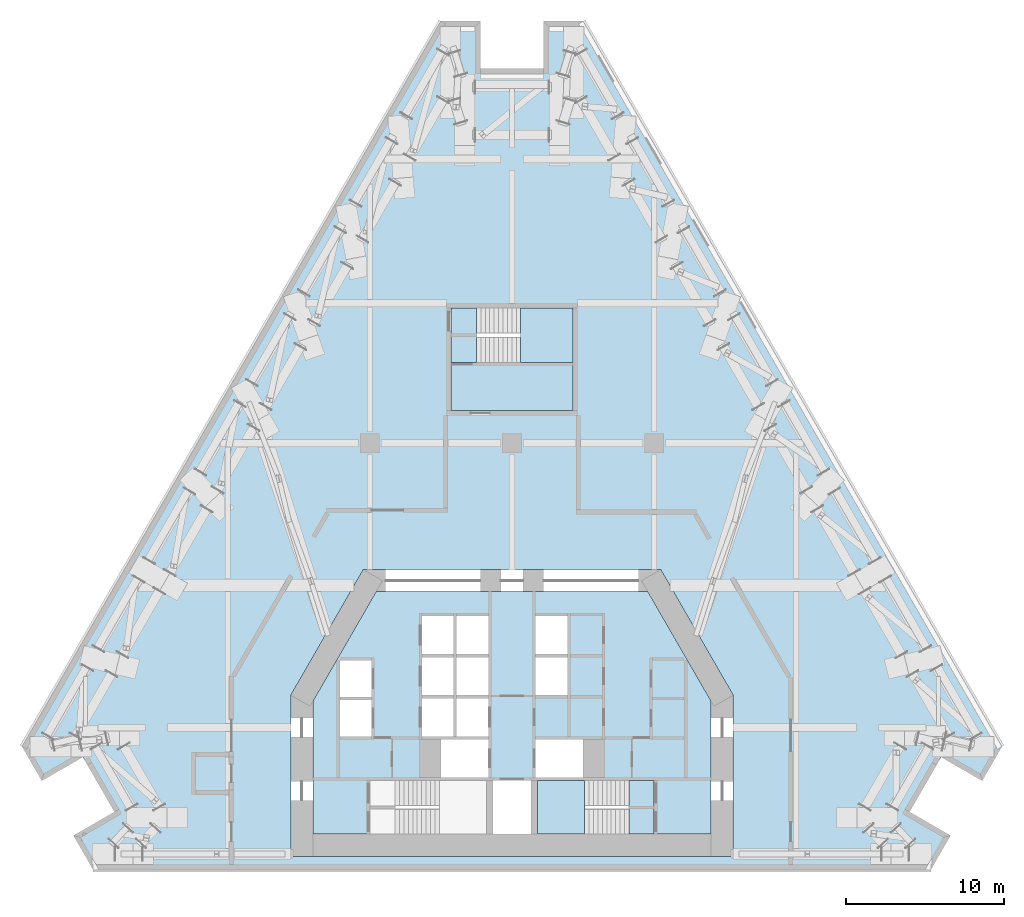
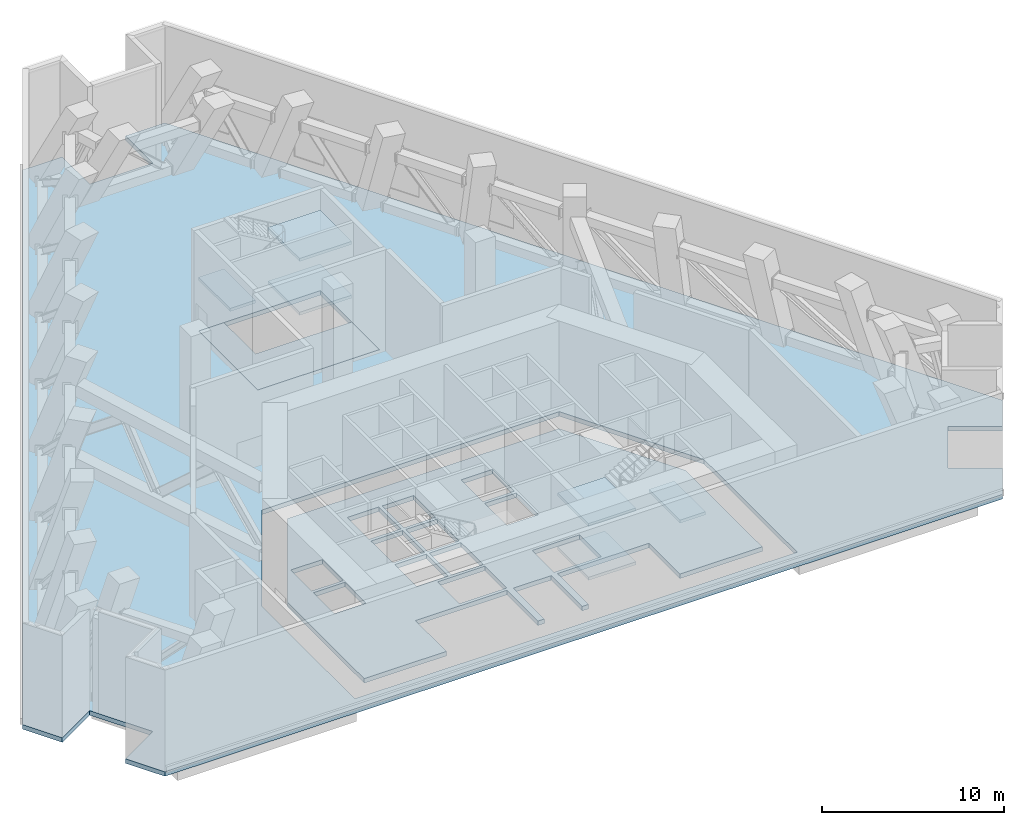
# One storey, part 4 of 12: 9 slabs, 2 elements without a shape of their own.
"""IFC4 building model written with IfcOpenShell, lengths in metres."""

from ifc_helpers import new_model, si_unit, direction, frame, origin, place, context, subcontext, project, spatial, polyline, outline, extrude, material, layer, layer_set, type_object, element, aggregate, save


model = new_model("IFC4")

# Units and contexts
model_context = context("Model", 3, precision=1e-05, world=origin(), true_north=direction((0.0, 1.0)))
body_context = subcontext(model_context, "Body", "Model", "MODEL_VIEW")
ifc_project = project(units=[si_unit("LENGTHUNIT", "METRE"), si_unit("AREAUNIT", "SQUARE_METRE"), si_unit("VOLUMEUNIT", "CUBIC_METRE"), si_unit("PLANEANGLEUNIT", "RADIAN"), si_unit("MASSUNIT", "GRAM", prefix="KILO")], contexts=[model_context])

# Site, building, storey
site_placement = place(None, origin())
site = spatial("IfcSite", under=ifc_project, at=site_placement, CompositionType="ELEMENT")
building_placement = place(site_placement, origin())
building = spatial("IfcBuilding", under=site, at=building_placement, Name="Fogline Exchange Tower", CompositionType="ELEMENT")
storey_placement = place(building_placement, frame((0.0, 0.0, 88.89990234375)))
storey = spatial("IfcBuildingStorey", under=building, at=storey_placement, Name="L19", CompositionType="ELEMENT", Elevation=88.89990234375)

# Slabs
ifc_material = material(Name="Concrete C40", Category="concrete")
ifc_layer_1 = layer(ifc_material, 0.300048828125)
ifc_layer_set_1 = layer_set([ifc_layer_1], Name="S04")
slab_type_1 = type_object("IfcSlabType", Name="S04", PredefinedType="FLOOR", material=ifc_layer_set_1)
slab_1_placement = place(storey_placement, frame((0.0, 0.0, -0.2998046875)))
element("IfcSlab", 1, at=slab_1_placement, inside=storey, type_object=slab_type_1, Name="SLAB L19", PredefinedType="FLOOR", context=body_context, shape_type="SweptSolid", body=[
    extrude(outline(polyline([(-2.0, 53.711669921875), (-4.5, 53.711669921875), (-31.010498046875, 7.794189453125), (-29.760498046875, 5.629150390625), (-27.162353515625, 7.129150390625), (-25.162353515625, 3.6650390625), (-27.760498046875, 2.1650390625), (-26.510498046875, 0.0), (26.510498046875, 0.0), (27.760498046875, 2.1650390625), (25.162353515625, 3.6650390625), (27.162353515625, 7.129150390625), (29.760498046875, 5.629150390625), (31.010498046875, 7.794189453125), (4.5, 53.711669921875), (2.0, 53.711669921875), (2.0, 50.711669921875), (-2.0, 50.711669921875), (-2.0, 53.711669921875)]), holes=[polyline([(14.0, 11.052490234375), (14.0, 0.85009765625), (-14.0, 0.85009765625), (-14.0, 11.052490234375), (-9.41162109375, 19.0), (9.41162109375, 19.0), (14.0, 11.052490234375)]), polyline([(3.85009765625, 35.556884765625), (3.85009765625, 29.056884765625), (-3.85009765625, 29.056884765625), (-3.85009765625, 35.556884765625), (3.85009765625, 35.556884765625)])]), origin(), (0.0, 0.0, 1.0), 0.2998046875),
])
slab_2_placement = place(storey_placement, frame((0.0, 0.0, -0.2998046875)))
element("IfcSlab", 2, at=slab_2_placement, inside=storey, type_object=slab_type_1, Name="Core floor slab", PredefinedType="FLOOR", context=body_context, shape_type="SweptSolid", body=[
    extrude(outline(polyline([(-12.60009765625, 2.25), (-12.60009765625, 10.677490234375), (-8.603271484375, 17.60009765625), (8.603271484375, 17.60009765625), (12.60009765625, 10.677490234375), (12.60009765625, 2.25), (7.389892578125, 2.25), (7.389892578125, 5.64990234375), (1.60009765625, 5.64990234375), (1.60009765625, 2.25), (1.199951171875, 2.25), (1.199951171875, 5.64990234375), (-1.199951171875, 5.64990234375), (-1.199951171875, 2.25), (-1.60009765625, 2.25), (-1.60009765625, 5.64990234375), (-7.389892578125, 5.64990234375), (-7.389892578125, 2.25), (-12.60009765625, 2.25)]), holes=[polyline([(-1.5, 8.25), (-4.5, 8.25), (-4.5, 5.85009765625), (-1.5, 5.85009765625), (-1.5, 8.25)]), polyline([(-8.89990234375, 10.75), (-10.89990234375, 10.75), (-10.89990234375, 8.449951171875), (-8.89990234375, 8.449951171875), (-8.89990234375, 10.75)]), polyline([(-3.699951171875, 10.85009765625), (-5.699951171875, 10.85009765625), (-5.699951171875, 8.449951171875), (-3.699951171875, 8.449951171875), (-3.699951171875, 10.85009765625)]), polyline([(-1.5, 10.85009765625), (-3.5, 10.85009765625), (-3.5, 8.449951171875), (-1.5, 8.449951171875), (-1.5, 10.85009765625)]), polyline([(-8.89990234375, 13.25), (-10.89990234375, 13.25), (-10.89990234375, 10.949951171875), (-8.89990234375, 10.949951171875), (-8.89990234375, 13.25)]), polyline([(-3.699951171875, 13.449951171875), (-5.699951171875, 13.449951171875), (-5.699951171875, 11.050048828125), (-3.699951171875, 11.050048828125), (-3.699951171875, 13.449951171875)]), polyline([(-3.699951171875, 16.050048828125), (-5.699951171875, 16.050048828125), (-5.699951171875, 13.64990234375), (-3.699951171875, 13.64990234375), (-3.699951171875, 16.050048828125)]), polyline([(4.5, 8.25), (1.5, 8.25), (1.5, 5.85009765625), (4.5, 5.85009765625), (4.5, 8.25)]), polyline([(-1.5, 13.449951171875), (-3.5, 13.449951171875), (-3.5, 11.050048828125), (-1.5, 11.050048828125), (-1.5, 13.449951171875)]), polyline([(3.5, 13.449951171875), (1.5, 13.449951171875), (1.5, 11.050048828125), (3.5, 11.050048828125), (3.5, 13.449951171875)]), polyline([(-1.5, 16.050048828125), (-3.5, 16.050048828125), (-3.5, 13.64990234375), (-1.5, 13.64990234375), (-1.5, 16.050048828125)]), polyline([(3.5, 16.050048828125), (1.5, 16.050048828125), (1.5, 13.64990234375), (3.5, 13.64990234375), (3.5, 16.050048828125)])]), origin(), (0.0, 0.0, 1.0), 0.2998046875),
])
slab_3_placement = place(storey_placement, frame((0.0, 0.0, -0.2998046875)))
element("IfcSlab", 3, at=slab_3_placement, inside=storey, type_object=slab_type_1, Name="Stair enclosure floor slab", PredefinedType="FLOOR", context=body_context, shape_type="SweptSolid", body=[
    extrude(outline(polyline([(3.85009765625, 29.056884765625), (-3.85009765625, 29.056884765625), (-3.85009765625, 35.556884765625), (-2.239990234375, 35.556884765625), (-2.239990234375, 32.10693359375), (3.85009765625, 32.10693359375), (3.85009765625, 29.056884765625)])), origin(), (0.0, 0.0, 1.0), 0.2998046875),
])

# Stair, slabs
stair_type = type_object("IfcStairType", Name="STR44-1636", PredefinedType="HALF_TURN_STAIR", material=ifc_material)
stair_1_placement = place(storey_placement, origin())
stair_1 = element("IfcStair", 4, at=stair_1_placement, inside=storey, type_object=stair_type, Name="Stair ST2", PredefinedType="HALF_TURN_STAIR")
ifc_layer_2 = layer(ifc_material, 0.199951171875)
ifc_layer_set_2 = layer_set([ifc_layer_2], Name="SL200")
slab_type_2 = type_object("IfcSlabType", Name="SL200", PredefinedType="LANDING", material=ifc_layer_set_2)
slab_4_placement = place(storey_placement, frame((0.0, 0.0, 1.60009765625)))
slab_4 = element("IfcSlab", 5, at=slab_4_placement, type_object=slab_type_2, Name="ST2 landing 1", PredefinedType="LANDING", context=body_context, shape_type="SweptSolid", body=[
    extrude(outline(polyline([(1.60009765625, 2.25), (4.60009765625, 2.25), (4.60009765625, 5.64990234375), (1.60009765625, 5.64990234375), (1.60009765625, 2.25)])), origin(), (0.0, 0.0, 1.0), 0.199951171875),
])
slab_5_placement = place(storey_placement, frame((0.0, 0.0, 3.400146484375)))
slab_5 = element("IfcSlab", 6, at=slab_5_placement, type_object=slab_type_2, Name="ST2 landing 2", PredefinedType="LANDING", context=body_context, shape_type="SweptSolid", body=[
    extrude(outline(polyline([(7.39990234375, 2.25), (9.0, 2.25), (9.0, 5.64990234375), (7.39990234375, 5.64990234375), (7.39990234375, 2.25)])), origin(), (0.0, 0.0, 1.0), 0.199951171875),
])
slab_6_placement = place(storey_placement, frame((0.0, 0.0, 5.2001953125)))
slab_6 = element("IfcSlab", 7, at=slab_6_placement, type_object=slab_type_2, Name="ST2 landing 3", PredefinedType="LANDING", context=body_context, shape_type="SweptSolid", body=[
    extrude(outline(polyline([(1.60009765625, 2.25), (4.60009765625, 2.25), (4.60009765625, 5.64990234375), (1.60009765625, 5.64990234375), (1.60009765625, 2.25)])), origin(), (0.0, 0.0, 1.0), 0.199951171875),
])
aggregate(stair_1, [slab_4, slab_5, slab_6])

stair_2_placement = place(storey_placement, origin())
stair_2 = element("IfcStair", 8, at=stair_2_placement, inside=storey, type_object=stair_type, Name="Stair ST3", PredefinedType="HALF_TURN_STAIR")
slab_7_placement = place(storey_placement, frame((0.0, 0.0, 1.60009765625)))
slab_7 = element("IfcSlab", 9, at=slab_7_placement, type_object=slab_type_2, Name="ST3 landing 1", PredefinedType="LANDING", context=body_context, shape_type="SweptSolid", body=[
    extrude(outline(polyline([(0.550048828125, 32.10693359375), (3.85009765625, 32.10693359375), (3.85009765625, 35.556884765625), (0.550048828125, 35.556884765625), (0.550048828125, 32.10693359375)])), origin(), (0.0, 0.0, 1.0), 0.199951171875),
])
slab_8_placement = place(storey_placement, frame((0.0, 0.0, 3.400146484375)))
slab_8 = element("IfcSlab", 10, at=slab_8_placement, type_object=slab_type_2, Name="ST3 landing 2", PredefinedType="LANDING", context=body_context, shape_type="SweptSolid", body=[
    extrude(outline(polyline([(-3.85009765625, 32.10693359375), (-2.25, 32.10693359375), (-2.25, 35.556884765625), (-3.85009765625, 35.556884765625), (-3.85009765625, 32.10693359375)])), origin(), (0.0, 0.0, 1.0), 0.199951171875),
])
slab_9_placement = place(storey_placement, frame((0.0, 0.0, 5.2001953125)))
slab_9 = element("IfcSlab", 11, at=slab_9_placement, type_object=slab_type_2, Name="ST3 landing 3", PredefinedType="LANDING", context=body_context, shape_type="SweptSolid", body=[
    extrude(outline(polyline([(0.550048828125, 32.10693359375), (3.85009765625, 32.10693359375), (3.85009765625, 35.556884765625), (0.550048828125, 35.556884765625), (0.550048828125, 32.10693359375)])), origin(), (0.0, 0.0, 1.0), 0.199951171875),
])
aggregate(stair_2, [slab_7, slab_8, slab_9])

save(model, "model.ifc")
